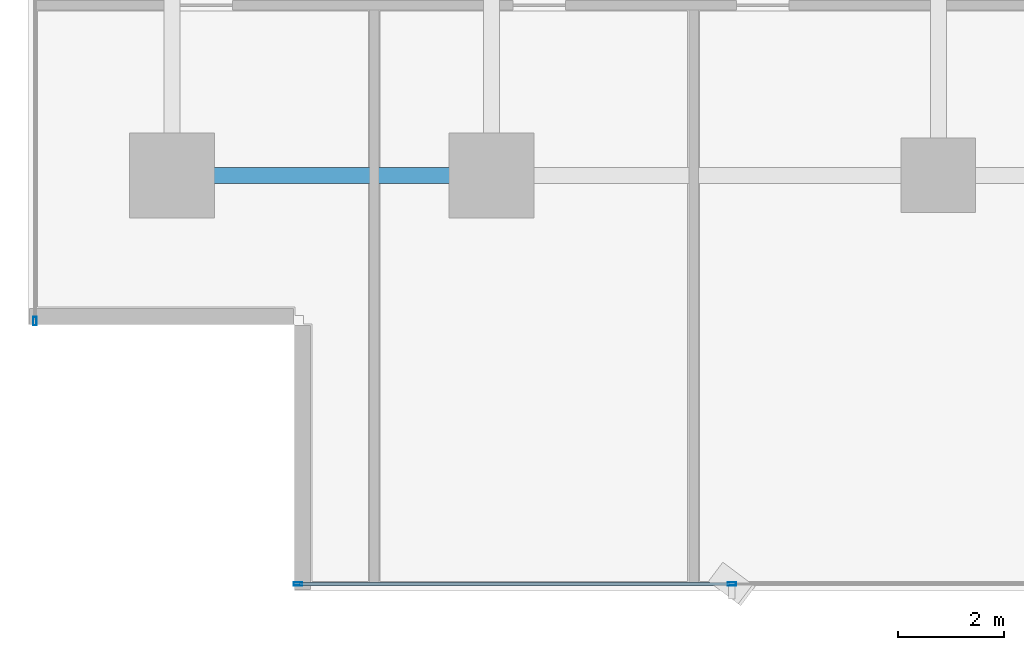
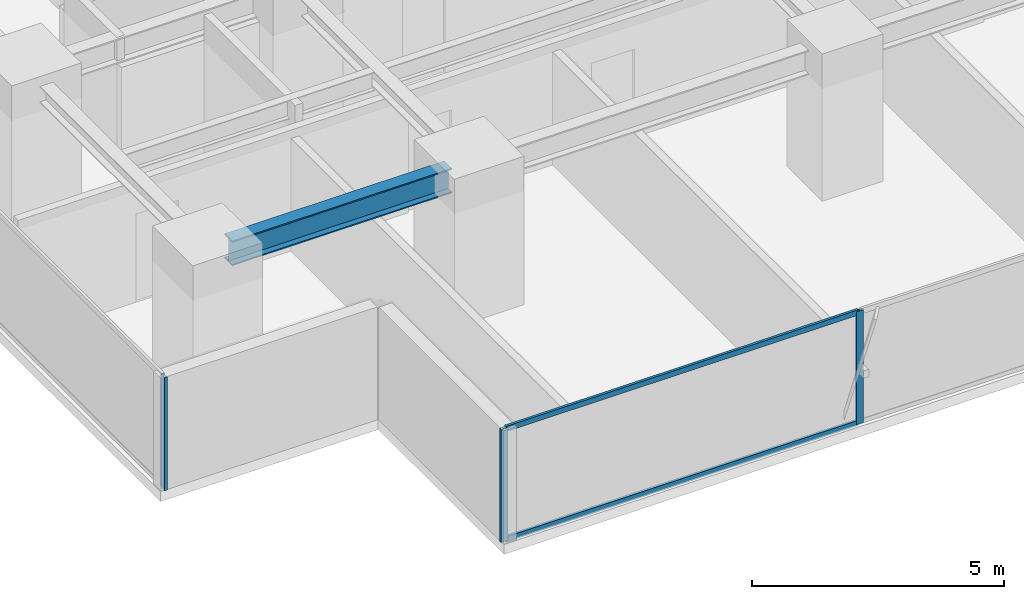
# One storey, part 2 of 36: 5 members, 1 beam, 2 elements without a shape of their own.
"""IFC4 building model written with IfcOpenShell, lengths in metres."""

from ifc_helpers import new_model, si_unit, direction, frame, origin, origin_2d, place, context, subcontext, project, spatial, hollow_rectangle, i_section, extrude, source, transform, mapped, material, layer, layer_set, material_profile, profile_set, type_object, element, aggregate, save


model = new_model("IFC4")

# Units and contexts
model_context = context("Model", 3, precision=1e-05, world=origin(), true_north=direction((0.0, 1.0)))
body_context = subcontext(model_context, "Body", "Model", "MODEL_VIEW")
ifc_project = project(units=[si_unit("LENGTHUNIT", "METRE"), si_unit("AREAUNIT", "SQUARE_METRE"), si_unit("VOLUMEUNIT", "CUBIC_METRE"), si_unit("PLANEANGLEUNIT", "RADIAN"), si_unit("MASSUNIT", "GRAM", prefix="KILO")], contexts=[model_context])

# Site, building, storey
site_placement = place(None, origin())
site = spatial("IfcSite", under=ifc_project, at=site_placement, CompositionType="ELEMENT")
building_placement = place(site_placement, origin())
building = spatial("IfcBuilding", under=site, at=building_placement, Name="Sumidabori Civic Tower", CompositionType="ELEMENT")
storey_placement = place(building_placement, frame((0.0, 0.0, 113.60009765625)))
storey = spatial("IfcBuildingStorey", under=building, at=storey_placement, Name="L29", CompositionType="ELEMENT", Elevation=113.60009765625)

# Beam
ifc_material_1 = material(Name="Steel SN490", Category="steel")
ifc_material_profile_1 = material_profile(ifc_material_1, i_section(OverallWidth=0.300048828125, OverallDepth=0.60009765625, WebThickness=0.015380859375, FlangeThickness=0.030029296875, at=origin_2d()), Name="HE 600 B")
ifc_profile_set_1 = profile_set([ifc_material_profile_1], Name="Steel SN490")
beam_type = type_object("IfcBeamType", Name="BM-GIRD-600", PredefinedType="BEAM", material=ifc_profile_set_1)
shared_shape_1 = source(origin(), body_context, "Body", "SweptSolid", [
    extrude(i_section(OverallWidth=0.300048828125, OverallDepth=0.60009765625, WebThickness=0.015380859375, FlangeThickness=0.030029296875, at=origin_2d()), origin(), (0.0, 0.0, 1.0), 5.0400390625),
])
beam_placement = place(storey_placement, frame((-22.320068359375, -18.0, 3.059814453125), z_axis=(1.0, 0.0, 0.0), x_axis=(0.0, 1.0, 0.0)))
element("IfcBeam", 1, at=beam_placement, inside=storey, type_object=beam_type, Name="Primary Girder L29 GX-01", PredefinedType="BEAM", context=body_context, shape_type="MappedRepresentation", body=[
    mapped(shared_shape_1, transform((0.0, 0.0, 0.0), x_axis=(1.0, 0.0, 0.0), y_axis=(0.0, 1.0, 0.0), z_axis=(0.0, 0.0, 1.0), scale=1.0)),
])

# Curtain wall, members
ifc_material_2 = material(Name="Anodised Bronze Aluminium AW-6063-T6", Category="aluminium")
ifc_layer = layer(ifc_material_2, 0.179931640625, Name="Anodised Bronze Aluminium AW-6063-T6")
ifc_layer_set = layer_set([ifc_layer], Name="Anodised Bronze Aluminium AW-6063-T6")
curtain_wall_type = type_object("IfcCurtainWallType", Name="CW-SYS-3", PredefinedType="NOTDEFINED", material=ifc_layer_set)
curtain_wall_1_placement = place(storey_placement, origin())
curtain_wall_1 = element("IfcCurtainWall", 2, at=curtain_wall_1_placement, inside=storey, type_object=curtain_wall_type, Name="Curtain Wall CW:L29:R01", PredefinedType="NOTDEFINED")
ifc_material_profile_2 = material_profile(ifc_material_2, hollow_rectangle(XDim=0.06494140625, YDim=0.159912109375, WallThickness=0.0048828125, at=origin_2d()), Name="ALU MULLION 160x65")
ifc_profile_set_2 = profile_set([ifc_material_profile_2], Name="Anodised Bronze Aluminium AW-6063-T6")
member_type_1 = type_object("IfcMemberType", Name="CW-MUL-160", PredefinedType="MULLION", material=ifc_profile_set_2)
shared_shape_2 = source(origin(), body_context, "Body", "SweptSolid", [
    extrude(hollow_rectangle(XDim=0.06494140625, YDim=0.159912109375, WallThickness=0.0048828125, at=origin_2d()), origin(), (0.0, 0.0, 1.0), 2.739990234375),
])
member_1_placement = place(storey_placement, frame((-20.4375, -25.679931640625, 0.0), z_axis=(0.0, 0.0, 1.0), x_axis=(0.0, 1.0, 0.0)))
member_1 = element("IfcMember", 3, at=member_1_placement, type_object=member_type_1, Name="CW-3 mullion 1", PredefinedType="MULLION", context=body_context, shape_type="MappedRepresentation", body=[
    mapped(shared_shape_2, transform((0.0, 0.0, 0.0), x_axis=(1.0, 0.0, 0.0), y_axis=(0.0, 1.0, 0.0), z_axis=(0.0, 0.0, 1.0), scale=1.0)),
])
member_2_placement = place(storey_placement, frame((-12.281982421875, -25.679931640625, 0.0), z_axis=(0.0, 0.0, 1.0), x_axis=(0.0, 1.0, 0.0)))
member_2 = element("IfcMember", 4, at=member_2_placement, type_object=member_type_1, Name="CW-3 mullion 2", PredefinedType="MULLION", context=body_context, shape_type="MappedRepresentation", body=[
    mapped(shared_shape_2, transform((0.0, 0.0, 0.0), x_axis=(1.0, 0.0, 0.0), y_axis=(0.0, 1.0, 0.0), z_axis=(0.0, 0.0, 1.0), scale=1.0)),
])

# Curtain wall, member
curtain_wall_2_placement = place(storey_placement, origin())
curtain_wall_2 = element("IfcCurtainWall", 5, at=curtain_wall_2_placement, inside=storey, type_object=curtain_wall_type, Name="Curtain Wall CW:L29:R10", PredefinedType="NOTDEFINED")
member_3_placement = place(storey_placement, frame((-25.3798828125, -20.737548828125, 0.0), z_axis=(0.0, 0.0, 1.0), x_axis=(1.0, 0.0, 0.0)))
member_3 = element("IfcMember", 6, at=member_3_placement, type_object=member_type_1, Name="CW-3 mullion 6", PredefinedType="MULLION", context=body_context, shape_type="MappedRepresentation", body=[
    mapped(shared_shape_2, transform((0.0, 0.0, 0.0), x_axis=(1.0, 0.0, 0.0), y_axis=(0.0, 1.0, 0.0), z_axis=(0.0, 0.0, 1.0), scale=1.0)),
])
aggregate(curtain_wall_2, [member_3])

# Member
ifc_material_profile_3 = material_profile(ifc_material_2, hollow_rectangle(XDim=0.06005859375, YDim=0.1298828125, WallThickness=0.0048828125, at=origin_2d()), Name="ALU TRANSOM 130x60")
ifc_profile_set_3 = profile_set([ifc_material_profile_3], Name="Anodised Bronze Aluminium AW-6063-T6")
member_type_2 = type_object("IfcMemberType", Name="CW-TRN-130", PredefinedType="USERDEFINED", material=ifc_profile_set_3)
shared_shape_3 = source(origin(), body_context, "Body", "SweptSolid", [
    extrude(hollow_rectangle(XDim=0.06005859375, YDim=0.1298828125, WallThickness=0.0048828125, at=origin_2d()), origin(), (0.0, 0.0, 1.0), 8.090576171875),
])
member_4_placement = place(storey_placement, frame((-20.405029296875, -25.679931640625, 0.02978515625), z_axis=(1.0, 0.0, 0.0), x_axis=(0.0, 1.0, 0.0)))
member_4 = element("IfcMember", 7, at=member_4_placement, type_object=member_type_2, Name="CW-3 transom 1.1", ObjectType="TRANSOM", PredefinedType="USERDEFINED", context=body_context, shape_type="MappedRepresentation", body=[
    mapped(shared_shape_3, transform((0.0, 0.0, 0.0), x_axis=(1.0, 0.0, 0.0), y_axis=(0.0, 1.0, 0.0), z_axis=(0.0, 0.0, 1.0), scale=1.0)),
])

member_5_placement = place(storey_placement, frame((-20.405029296875, -25.679931640625, 2.7099609375), z_axis=(1.0, 0.0, 0.0), x_axis=(0.0, 1.0, 0.0)))
member_5 = element("IfcMember", 8, at=member_5_placement, type_object=member_type_2, Name="CW-3 transom 1.2", ObjectType="TRANSOM", PredefinedType="USERDEFINED", context=body_context, shape_type="MappedRepresentation", body=[
    mapped(shared_shape_3, transform((0.0, 0.0, 0.0), x_axis=(1.0, 0.0, 0.0), y_axis=(0.0, 1.0, 0.0), z_axis=(0.0, 0.0, 1.0), scale=1.0)),
])

aggregate(curtain_wall_1, [member_1, member_2, member_4, member_5])

save(model, "model.ifc")
